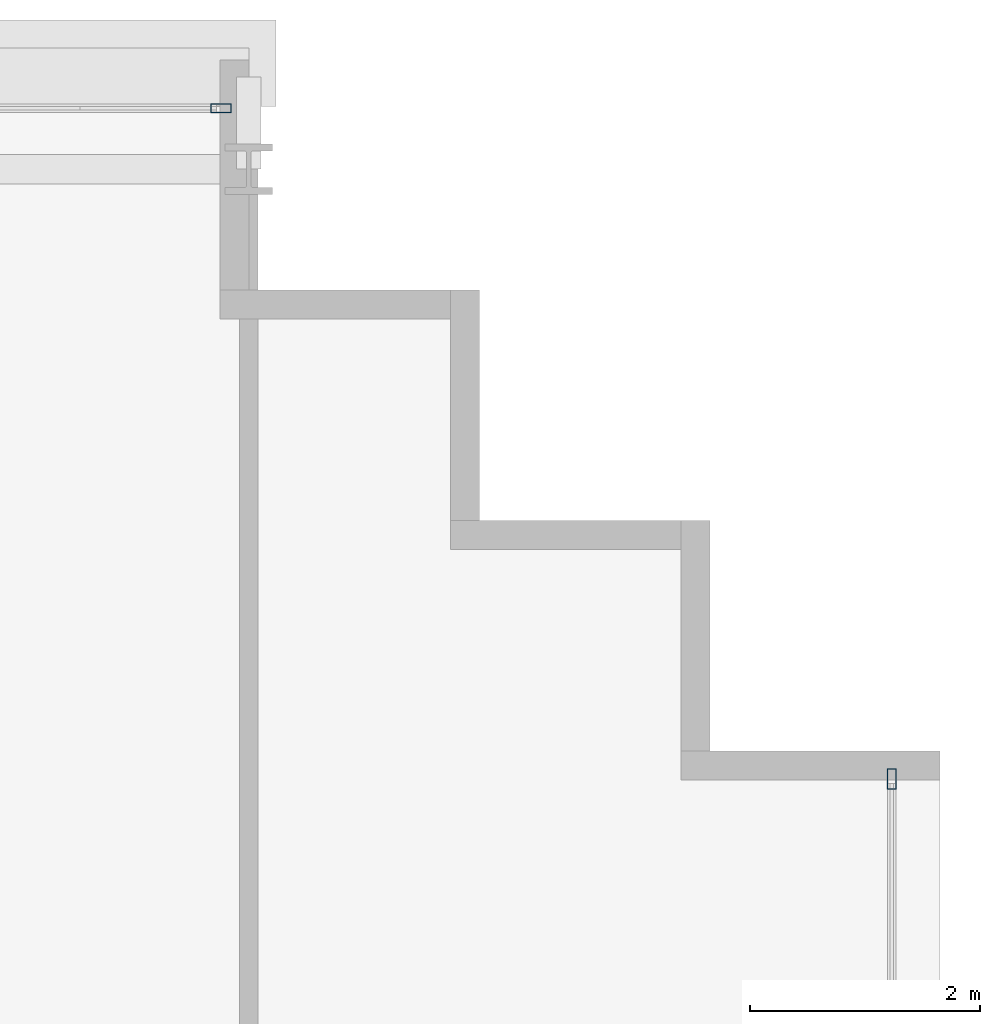
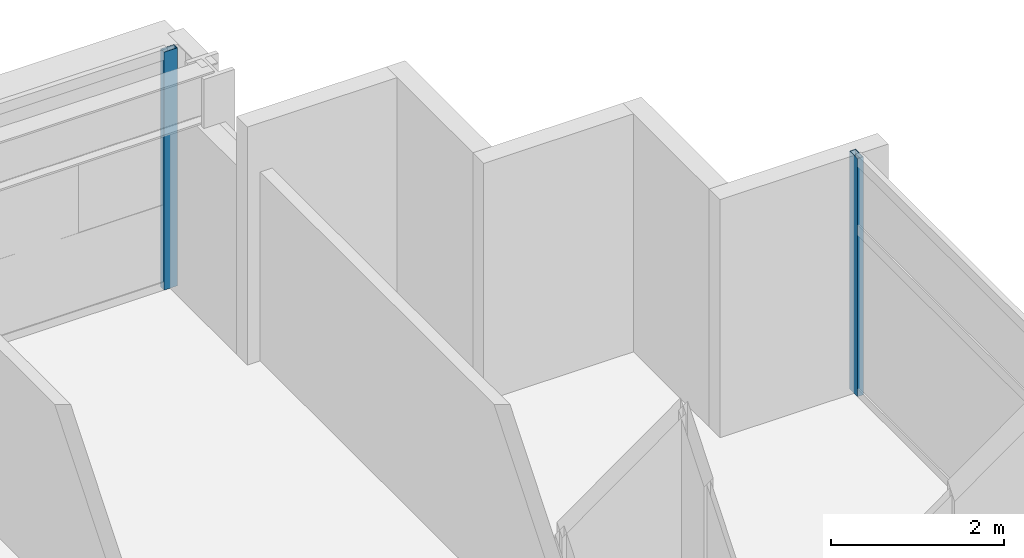
# One storey, part 22 of 36: 2 members, 2 elements without a shape of their own.
"""IFC4 building model written with IfcOpenShell, lengths in metres."""

from ifc_helpers import new_model, si_unit, direction, frame, origin, origin_2d, place, context, subcontext, project, spatial, hollow_rectangle, extrude, source, transform, mapped, material, layer, layer_set, material_profile, profile_set, type_object, element, aggregate, save


model = new_model("IFC4")

# Units and contexts
model_context = context("Model", 3, precision=1e-05, world=origin(), true_north=direction((0.0, 1.0)))
body_context = subcontext(model_context, "Body", "Model", "MODEL_VIEW")
ifc_project = project(units=[si_unit("LENGTHUNIT", "METRE"), si_unit("AREAUNIT", "SQUARE_METRE"), si_unit("VOLUMEUNIT", "CUBIC_METRE"), si_unit("PLANEANGLEUNIT", "RADIAN"), si_unit("MASSUNIT", "GRAM", prefix="KILO")], contexts=[model_context])

# Site, building, storey
site_placement = place(None, origin())
site = spatial("IfcSite", under=ifc_project, at=site_placement, CompositionType="ELEMENT")
building_placement = place(site_placement, origin())
building = spatial("IfcBuilding", under=site, at=building_placement, Name="Ocotamira Hotel", CompositionType="ELEMENT")
storey_placement = place(building_placement, frame((0.0, 0.0, 97.199951171875)))
storey = spatial("IfcBuildingStorey", under=building, at=storey_placement, Name="L23", CompositionType="ELEMENT", Elevation=97.199951171875)

# Curtain wall, member
ifc_material_1 = material(Name="Anodised pale-metal aluminium and solar glass", Category="aluminium")
ifc_layer = layer(ifc_material_1, 0.179931640625)
ifc_layer_set = layer_set([ifc_layer], Name="Anodised pale-metal aluminium and solar glass")
curtain_wall_type = type_object("IfcCurtainWallType", Name="CW-SYS3-Z2", PredefinedType="NOTDEFINED", material=ifc_layer_set)
curtain_wall_1_placement = place(storey_placement, origin())
curtain_wall_1 = element("IfcCurtainWall", 1, at=curtain_wall_1_placement, inside=storey, type_object=curtain_wall_type, Name="L23 Curtain Wall CW-3 CW-L23-N", PredefinedType="NOTDEFINED")
ifc_material_2 = material(Name="Anodised pale-metal aluminium 6063-T6", Category="aluminium")
ifc_material_profile = material_profile(ifc_material_2, hollow_rectangle(XDim=0.080078125, YDim=0.179931640625, WallThickness=0.006103515625, at=origin_2d()), Name="HSS180X80X6")
ifc_profile_set = profile_set([ifc_material_profile], Name="Anodised pale-metal aluminium 6063-T6")
member_type = type_object("IfcMemberType", Name="CWM-180X75", PredefinedType="MULLION", material=ifc_profile_set)
shared_shape = source(origin(), body_context, "Body", "SweptSolid", [
    extrude(hollow_rectangle(XDim=0.080078125, YDim=0.179931640625, WallThickness=0.006103515625, at=origin_2d()), origin(), (0.0, 0.0, 1.0), 3.360107421875),
])
member_1_placement = place(storey_placement, frame((49.760009765625, 49.580078125, 0.0), z_axis=(0.0, 0.0, 1.0), x_axis=(0.0, 1.0, 0.0)))
member_1 = element("IfcMember", 2, at=member_1_placement, type_object=member_type, Name="CW-3 mullion 10", PredefinedType="MULLION", context=body_context, shape_type="MappedRepresentation", body=[
    mapped(shared_shape, transform((0.0, 0.0, 0.0), scale=1.0)),
])
aggregate(curtain_wall_1, [member_1])

curtain_wall_2_placement = place(storey_placement, origin())
curtain_wall_2 = element("IfcCurtainWall", 3, at=curtain_wall_2_placement, inside=storey, type_object=curtain_wall_type, Name="L23 Curtain Wall CW-3 CW-L23-E", PredefinedType="NOTDEFINED")
member_2_placement = place(storey_placement, frame((55.580078125, 43.760009765625, 0.0), z_axis=(0.0, 0.0, 1.0), x_axis=(-1.0, 0.0, 0.0)))
member_2 = element("IfcMember", 4, at=member_2_placement, type_object=member_type, Name="CW-3 mullion 8", PredefinedType="MULLION", context=body_context, shape_type="MappedRepresentation", body=[
    mapped(shared_shape, transform((0.0, 0.0, 0.0), scale=1.0)),
])
aggregate(curtain_wall_2, [member_2])

save(model, "model.ifc")
